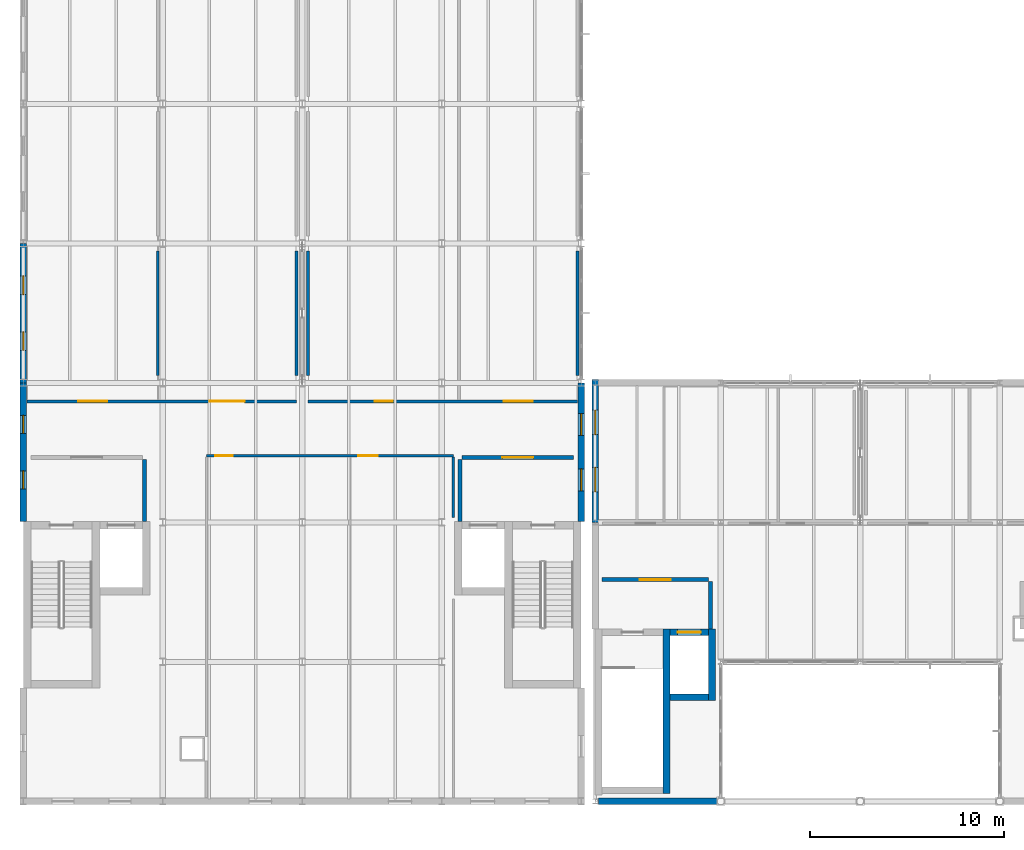
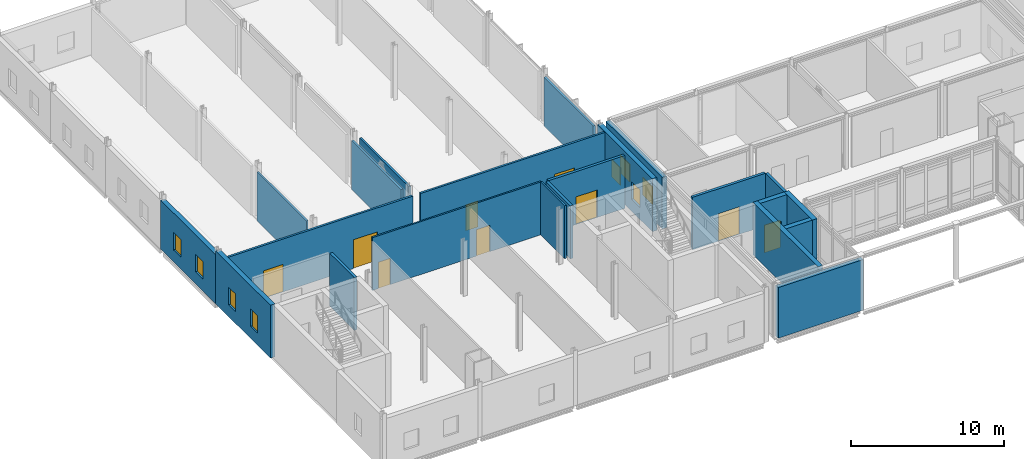
# One storey, part 30 of 43: 22 walls, 9 doors, 8 windows, 17 openings.
"""IFC4 building model written with IfcOpenShell, lengths in metres."""

import ifcopenshell
import ifcopenshell.guid

model = None  # the IFC model being written
_history = None  # IfcOwnerHistory: only IFC2X3 demands one
_inside = {}  # id of a spatial element -> (the spatial element, [elements in it])
_under = {}  # id of a project, library or spatial element -> (it, [spatial elements below it])
_declared = {}  # id of a project -> (the project, [libraries it declares])
_typed = {}  # id of a type object -> (the type object, [elements of that type])
_made_of = {}  # id of a material, layer set ... -> (it, [elements and type objects made of it])


def new_model(schema):
    """Start an empty IFC model of exactly this schema.

    Asked for "IFC4X3", IfcOpenShell would pick the latest addendum, in which some entities
    have other attributes; the version numbers below select the first issue.
    IFC2X3 requires an IfcOwnerHistory on every rooted entity: one is made here for all.
    """
    global model, _history
    if schema == "IFC4X3":
        model = ifcopenshell.file(schema_version=(4, 3, 0, 0))
    else:
        model = ifcopenshell.file(schema=schema)
    _inside.clear()
    _under.clear()
    _declared.clear()
    _typed.clear()
    _made_of.clear()
    _history = None
    if model.schema == "IFC2X3":
        org = make("IfcOrganization", Name="unknown")
        user = make(
            "IfcPersonAndOrganization",
            ThePerson=make("IfcPerson", FamilyName="unknown"),
            TheOrganization=org,
        )
        app = make(
            "IfcApplication",
            ApplicationDeveloper=org,
            Version="unknown",
            ApplicationFullName="unknown",
            ApplicationIdentifier="unknown",
        )
        _history = make(
            "IfcOwnerHistory",
            OwningUser=user,
            OwningApplication=app,
            ChangeAction="ADDED",
            CreationDate=0,
        )
    return model


def make(cls, **values):
    """One entity of the class cls with the attributes given. An attribute that is None is left unset."""
    return model.create_entity(
        cls, **{name: value for name, value in values.items() if value is not None}
    )


def rooted(cls, **values):
    """An entity with a GlobalId (a new one), such as an element, a storey or a relation."""
    return make(cls, GlobalId=ifcopenshell.guid.new(), OwnerHistory=_history, **values)


def si_unit(unit_type, name, prefix=None):
    """IfcSIUnit, for example si_unit("LENGTHUNIT", "METRE", prefix="MILLI")."""
    return make("IfcSIUnit", UnitType=unit_type, Prefix=prefix, Name=name)


def assignment(units):
    """IfcUnitAssignment: the units of a project."""
    return None if units is None else make("IfcUnitAssignment", Units=units)


def point(xyz):
    """IfcCartesianPoint."""
    return None if xyz is None else make("IfcCartesianPoint", Coordinates=xyz)


def direction(xyz):
    """IfcDirection."""
    return None if xyz is None else make("IfcDirection", DirectionRatios=xyz)


def frame(location, z_axis=None, x_axis=None):
    """IfcAxis2Placement3D, a coordinate frame: its origin and axes. An axis left out is left unset."""
    return make(
        "IfcAxis2Placement3D",
        Location=point(location),
        Axis=direction(z_axis),
        RefDirection=direction(x_axis),
    )


def frame_2d(location, x_axis=None):
    """IfcAxis2Placement2D, a coordinate frame in the plane: its origin and x axis."""
    return make(
        "IfcAxis2Placement2D", Location=point(location), RefDirection=direction(x_axis)
    )


def origin():
    """The frame at (0, 0, 0) with its axes left unset."""
    return frame((0.0, 0.0, 0.0))


def place(relative_to, where):
    """IfcLocalPlacement: puts the frame where relative to a parent placement (None: the world)."""
    return make(
        "IfcLocalPlacement", PlacementRelTo=relative_to, RelativePlacement=where
    )


def context(
    kind, dimensions, precision=None, world=None, true_north=None, identifier=None
):
    """IfcGeometricRepresentationContext, for example the 3D "Model" context."""
    return make(
        "IfcGeometricRepresentationContext",
        ContextIdentifier=identifier,
        ContextType=kind,
        CoordinateSpaceDimension=dimensions,
        Precision=precision,
        WorldCoordinateSystem=world,
        TrueNorth=true_north,
    )


def subcontext(parent, identifier, kind, view, scale=None):
    """IfcGeometricRepresentationSubContext, for example "Body" below "Model"."""
    return make(
        "IfcGeometricRepresentationSubContext",
        ContextIdentifier=identifier,
        ContextType=kind,
        ParentContext=parent,
        TargetScale=scale,
        TargetView=view,
    )


def project(units=None, contexts=None):
    """IfcProject with its units and contexts."""
    return rooted(
        "IfcProject",
        Name="project",
        RepresentationContexts=contexts,
        UnitsInContext=assignment(units),
    )


def spatial(cls, under=None, at=None, **own):
    """A site, building, storey or space (cls), placed at a placement, below another one or the project."""
    s = rooted(cls, ObjectPlacement=at, **own)
    if under is not None:
        _under.setdefault(under.id(), (under, []))[1].append(s)
    return s


def profile(cls, at=None, kind="AREA", **sizes):
    """A parametric profile (cls). Its sizes go by their IFC names, for example OverallWidth=200.0."""
    return make(cls, ProfileType=kind, Position=at, **sizes)


def rectangle(**sizes):
    """IfcRectangleProfileDef."""
    return profile("IfcRectangleProfileDef", **sizes)


def extrude(swept, where, along, depth):
    """IfcExtrudedAreaSolid: the profile swept, set in the frame where, extruded along a direction by depth."""
    return make(
        "IfcExtrudedAreaSolid",
        SweptArea=swept,
        Position=where,
        ExtrudedDirection=direction(along),
        Depth=depth,
    )


def shape(context_of_items, identifier, shape_type, items):
    """IfcShapeRepresentation: the items that make up one representation, for example the "Body"."""
    return make(
        "IfcShapeRepresentation",
        ContextOfItems=context_of_items,
        RepresentationIdentifier=identifier,
        RepresentationType=shape_type,
        Items=items,
    )


def material(Name=None, Category=None):
    """IfcMaterial."""
    return make("IfcMaterial", Name=Name, Category=Category)


def layer(
    of_material, thickness, ventilated=None, Name=None, Category=None, Priority=None
):
    """IfcMaterialLayer: one layer of a wall or slab, of a material (None: an air gap)."""
    return make(
        "IfcMaterialLayer",
        Material=of_material,
        LayerThickness=thickness,
        IsVentilated=ventilated,
        Name=Name,
        Category=Category,
        Priority=Priority,
    )


def layer_set(layers, Name=None):
    """IfcMaterialLayerSet."""
    return make("IfcMaterialLayerSet", MaterialLayers=layers, LayerSetName=Name)


def made_of(thing, what):
    """Note that an element or type object is made of a material, layer set ...; save() writes the relation."""
    if what is not None:
        _made_of.setdefault(what.id(), (what, []))[1].append(thing)
    return thing


def type_object(cls, material=None, **own):
    """A type object (cls), such as IfcWallType, which elements share."""
    return made_of(rooted(cls, **own), material)


def element(
    cls,
    number,
    at=None,
    inside=None,
    cuts=None,
    type_object=None,
    material=None,
    context=None,
    identifier="Body",
    shape_type=None,
    held_by="IfcProductDefinitionShape",
    body=None,
    shapes=None,
    **own,
):
    """One element of the class cls, such as IfcWall. Its Tag is "e" and its number.

    at: its placement. inside: the storey or other place that contains it. cuts: it is an
    opening in that element (IfcRelVoidsElement). A single representation is given by context,
    identifier, shape_type and body (its items); several are given by shapes. held_by: the class
    of the entity that holds the representations. save() writes the other relations.
    """
    e = rooted(cls, Tag="e%d" % number, ObjectPlacement=at, **own)
    if body is not None:
        shapes = [shape(context, identifier, shape_type, body)]
    if shapes is not None:
        e.Representation = make(held_by, Representations=shapes)
    if inside is not None:
        _inside.setdefault(inside.id(), (inside, []))[1].append(e)
    if cuts is not None:
        rooted(
            "IfcRelVoidsElement", RelatingBuildingElement=cuts, RelatedOpeningElement=e
        )
    if type_object is not None:
        _typed.setdefault(type_object.id(), (type_object, []))[1].append(e)
    return made_of(e, material)


def fill(opening, filler):
    """IfcRelFillsElement: the door or window that sits in an opening."""
    return rooted(
        "IfcRelFillsElement",
        RelatingOpeningElement=opening,
        RelatedBuildingElement=filler,
    )


def aggregate(whole, parts):
    """IfcRelAggregates: a whole, such as a stair, and the parts it consists of."""
    return rooted("IfcRelAggregates", RelatingObject=whole, RelatedObjects=parts)


def save(model, path):
    """Write the relations noted so far, then the file.

    IfcRelAggregates (storeys below a building ...), IfcRelContainedInSpatialStructure (elements
    in a storey), IfcRelDefinesByType, IfcRelAssociatesMaterial and IfcRelDeclares: one each for
    every whole, place, type object, material and project.
    """
    for whole, parts in _under.values():
        aggregate(whole, parts)
    for where, things in _inside.values():
        rooted(
            "IfcRelContainedInSpatialStructure",
            RelatedElements=things,
            RelatingStructure=where,
        )
    for kind, things in _typed.values():
        rooted("IfcRelDefinesByType", RelatedObjects=things, RelatingType=kind)
    for what, things in _made_of.values():
        rooted("IfcRelAssociatesMaterial", RelatedObjects=things, RelatingMaterial=what)
    for by, libraries in _declared.values():
        rooted("IfcRelDeclares", RelatingContext=by, RelatedDefinitions=libraries)
    model.write(path)


model = new_model("IFC4")

# Units and contexts
model_context = context("Model", 3, precision=1e-05, world=origin(), true_north=direction((0.0, 1.0)))
body_context = subcontext(model_context, "Body", "Model", "MODEL_VIEW")
ifc_project = project(units=[si_unit("LENGTHUNIT", "METRE"), si_unit("AREAUNIT", "SQUARE_METRE"), si_unit("VOLUMEUNIT", "CUBIC_METRE"), si_unit("PLANEANGLEUNIT", "RADIAN"), si_unit("MASSUNIT", "GRAM", prefix="KILO")], contexts=[model_context])

# Site, building, storey
site_placement = place(None, origin())
site = spatial("IfcSite", under=ifc_project, at=site_placement, CompositionType="ELEMENT")
building_placement = place(site_placement, origin())
building = spatial("IfcBuilding", under=site, at=building_placement, Name="Zarrinpeak Specialist Clinic", CompositionType="ELEMENT")
storey_placement = place(building_placement, frame((0.0, 0.0, 18.39990234375)))
storey = spatial("IfcBuildingStorey", under=building, at=storey_placement, Name="L04", CompositionType="ELEMENT", Elevation=18.39990234375)

# Walls
ifc_material_1 = material(Name="Concrete C40/50", Category="concrete")
ifc_layer_1 = layer(ifc_material_1, 0.35009765625)
ifc_layer_set_1 = layer_set([ifc_layer_1], Name="Concrete C40/50")
wall_type_1 = type_object("IfcWallType", Name="WL-CR350", PredefinedType="SHEAR", material=ifc_layer_set_1)
wall_1_placement = place(storey_placement, frame((33.195068359375, 0.39990234375, 0.0), z_axis=(0.0, 0.0, 1.0), x_axis=(0.0, 1.0, 0.0)))
element("IfcWall", 1, at=wall_1_placement, inside=storey, type_object=wall_type_1, Name="L04 Core C03 Shear Wall STE", PredefinedType="SHEAR", context=body_context, shape_type="SweptSolid", body=[
    extrude(rectangle(XDim=8.5, YDim=0.35009765625, at=frame_2d((4.25, 0.0))), origin(), (0.0, 0.0, 1.0), 4.18017578125),
])
wall_2_placement = place(storey_placement, frame((33.3701171875, 5.375, 0.0), z_axis=(0.0, 0.0, 1.0), x_axis=(1.0, 0.0, 0.0)))
element("IfcWall", 2, at=wall_2_placement, inside=storey, type_object=wall_type_1, Name="L04 Lift LF-P2 Shaft Wall LFS", PredefinedType="SHEAR", context=body_context, shape_type="SweptSolid", body=[
    extrude(rectangle(XDim=2.0, YDim=0.35009765625, at=frame_2d((1.0, 0.0))), origin(), (0.0, 0.0, 1.0), 4.18017578125),
])

# Wall, opening, door
wall_3_placement = place(storey_placement, frame((33.3701171875, 8.72509765625, 0.0), z_axis=(0.0, 0.0, 1.0), x_axis=(1.0, 0.0, 0.0)))
wall_3 = element("IfcWall", 3, at=wall_3_placement, inside=storey, type_object=wall_type_1, Name="L04 Lift LF-P2 Shaft Wall LFN", PredefinedType="SHEAR", context=body_context, shape_type="SweptSolid", body=[
    extrude(rectangle(XDim=2.0, YDim=0.35009765625, at=frame_2d((1.0, 0.0))), origin(), (0.0, 0.0, 1.0), 4.18017578125),
])
opening_1_placement = place(wall_3_placement, frame((0.39990234375, 0.0, 0.0)))
opening_1 = element("IfcOpeningElement", 4, at=opening_1_placement, cuts=wall_3, Name="Opening LD-02", PredefinedType="OPENING", context=body_context, shape_type="SweptSolid", body=[
    extrude(rectangle(XDim=1.199951171875, YDim=2.199951171875, at=frame_2d((0.60009765625, 1.10009765625))), frame((0.0, 0.18505859375, 0.0), z_axis=(0.0, -1.0, 0.0), x_axis=(1.0, 0.0, 0.0)), (0.0, 0.0, 1.0), 0.3701171875),
])
ifc_material_2 = material(Name="Powder-Coated Galvanised Steel", Category="steel")
door_type_1 = type_object("IfcDoorType", Name="DR-LD120", OperationType="SLIDING_TO_RIGHT", PredefinedType="DOOR", material=ifc_material_2)
door_1_placement = place(opening_1_placement, origin())
door_1 = element("IfcDoor", 5, at=door_1_placement, inside=storey, type_object=door_type_1, Name="L04 Lift LF-P2 Sliding Landing Door", OperationType="SLIDING_TO_RIGHT", OverallHeight=2.199951171875, OverallWidth=1.199951171875, PredefinedType="DOOR", context=body_context, shape_type="SweptSolid", body=[
    extrude(rectangle(XDim=1.199951171875, YDim=2.199951171875, at=frame_2d((0.60009765625, 1.10009765625))), frame((0.0, 0.02490234375, 0.0), z_axis=(0.0, -1.0, 0.0), x_axis=(1.0, 0.0, 0.0)), (0.0, 0.0, 1.0), 0.050048828125),
])
fill(opening_1, door_1)

# Wall
wall_4_placement = place(storey_placement, frame((35.544921875, 5.199951171875, 0.0), z_axis=(0.0, 0.0, 1.0), x_axis=(0.0, 1.0, 0.0)))
element("IfcWall", 6, at=wall_4_placement, inside=storey, type_object=wall_type_1, Name="L04 Lift LF-P2 Shaft Wall LFE", PredefinedType="SHEAR", context=body_context, shape_type="SweptSolid", body=[
    extrude(rectangle(XDim=3.699951171875, YDim=0.35009765625, at=frame_2d((1.85009765625, 0.0))), origin(), (0.0, 0.0, 1.0), 4.18017578125),
])

# Wall, openings, windows
ifc_material_3 = material(Name="Precast concrete C40/50", Category="concrete")
ifc_layer_2 = layer(ifc_material_3, 0.340087890625)
ifc_layer_set_2 = layer_set([ifc_layer_2], Name="Precast concrete C40/50")
wall_type_2 = type_object("IfcWallType", Name="WL-EW340", PredefinedType="STANDARD", material=ifc_layer_set_2)
wall_5_placement = place(storey_placement, frame((0.0, 21.60009765625, 0.0), z_axis=(0.0, 0.0, 1.0), x_axis=(0.0, -1.0, 0.0)))
wall_5 = element("IfcWall", 7, at=wall_5_placement, inside=storey, type_object=wall_type_2, Name="L04 V1 Exterior GRC Wall EW-L04-V1-0064", PredefinedType="STANDARD", context=body_context, shape_type="SweptSolid", body=[
    extrude(rectangle(XDim=7.150146484375, YDim=0.340087890625, at=frame_2d((3.5751953125, 0.0))), origin(), (0.0, 0.0, 1.0), 4.215087890625),
])
opening_2_placement = place(wall_5_placement, frame((1.680908203125, 0.0, 0.949951171875)))
opening_2 = element("IfcOpeningElement", 8, at=opening_2_placement, cuts=wall_5, Name="Opening WS-55", PredefinedType="OPENING", context=body_context, shape_type="SweptSolid", body=[
    extrude(rectangle(XDim=0.927978515625, YDim=1.404052734375, at=frame_2d((0.4638671875, 0.7021484375))), frame((0.0, 0.18017578125, 0.0), z_axis=(0.0, -1.0, 0.0), x_axis=(1.0, 0.0, 0.0)), (0.0, 0.0, 1.0), 0.360107421875),
])
opening_3_placement = place(wall_5_placement, frame((4.541015625, 0.0, 0.949951171875)))
opening_3 = element("IfcOpeningElement", 9, at=opening_3_placement, cuts=wall_5, Name="Opening WS-55", PredefinedType="OPENING", context=body_context, shape_type="SweptSolid", body=[
    extrude(rectangle(XDim=0.927978515625, YDim=1.404052734375, at=frame_2d((0.4638671875, 0.7021484375))), frame((0.0, 0.18017578125, 0.0), z_axis=(0.0, -1.0, 0.0), x_axis=(1.0, 0.0, 0.0)), (0.0, 0.0, 1.0), 0.360107421875),
])
ifc_material_4 = material(Name="Thermally Broken Aluminium and Low-E Glazing", Category="aluminium")
window_type_1 = type_object("IfcWindowType", Name="WN-SP55", PartitioningType="SINGLE_PANEL", PredefinedType="WINDOW", material=ifc_material_4)
window_1_placement = place(opening_2_placement, origin())
window_1 = element("IfcWindow", 10, at=window_1_placement, inside=storey, type_object=window_type_1, Name="L04 Modular Facade Window WN-L04-0097", OverallHeight=1.404052734375, OverallWidth=0.927978515625, PartitioningType="SINGLE_PANEL", PredefinedType="WINDOW", context=body_context, shape_type="SweptSolid", body=[
    extrude(rectangle(XDim=0.927978515625, YDim=1.404052734375, at=frame_2d((0.4638671875, 0.7021484375))), frame((0.0, 0.030029296875, 0.0), z_axis=(0.0, -1.0, 0.0), x_axis=(1.0, 0.0, 0.0)), (0.0, 0.0, 1.0), 0.06005859375),
])
fill(opening_2, window_1)
window_2_placement = place(opening_3_placement, origin())
window_2 = element("IfcWindow", 11, at=window_2_placement, inside=storey, type_object=window_type_1, Name="L04 Modular Facade Window WN-L04-0098", OverallHeight=1.404052734375, OverallWidth=0.927978515625, PartitioningType="SINGLE_PANEL", PredefinedType="WINDOW", context=body_context, shape_type="SweptSolid", body=[
    extrude(rectangle(XDim=0.927978515625, YDim=1.404052734375, at=frame_2d((0.4638671875, 0.7021484375))), frame((0.0, 0.030029296875, 0.0), z_axis=(0.0, -1.0, 0.0), x_axis=(1.0, 0.0, 0.0)), (0.0, 0.0, 1.0), 0.06005859375),
])
fill(opening_3, window_2)

wall_6_placement = place(storey_placement, frame((0.0, 28.800048828125, 0.0), z_axis=(0.0, 0.0, 1.0), x_axis=(0.0, -1.0, 0.0)))
wall_6 = element("IfcWall", 12, at=wall_6_placement, inside=storey, type_object=wall_type_2, Name="L04 V1 Exterior GRC Wall EW-L04-V1-0065", PredefinedType="STANDARD", context=body_context, shape_type="SweptSolid", body=[
    extrude(rectangle(XDim=7.199951171875, YDim=0.340087890625, at=frame_2d((3.60009765625, 0.0))), origin(), (0.0, 0.0, 1.0), 3.900146484375),
])
opening_4_placement = place(wall_6_placement, frame((1.678955078125, 0.0, 0.949951171875)))
opening_4 = element("IfcOpeningElement", 13, at=opening_4_placement, cuts=wall_6, Name="Opening WS-56", PredefinedType="OPENING", context=body_context, shape_type="SweptSolid", body=[
    extrude(rectangle(XDim=0.9619140625, YDim=1.404052734375, at=frame_2d((0.48095703125, 0.7021484375))), frame((0.0, 0.18017578125, 0.0), z_axis=(0.0, -1.0, 0.0), x_axis=(1.0, 0.0, 0.0)), (0.0, 0.0, 1.0), 0.360107421875),
])
opening_5_placement = place(wall_6_placement, frame((4.55908203125, 0.0, 0.949951171875)))
opening_5 = element("IfcOpeningElement", 14, at=opening_5_placement, cuts=wall_6, Name="Opening WS-56", PredefinedType="OPENING", context=body_context, shape_type="SweptSolid", body=[
    extrude(rectangle(XDim=0.9619140625, YDim=1.404052734375, at=frame_2d((0.48095703125, 0.7021484375))), frame((0.0, 0.18017578125, 0.0), z_axis=(0.0, -1.0, 0.0), x_axis=(1.0, 0.0, 0.0)), (0.0, 0.0, 1.0), 0.360107421875),
])
window_type_2 = type_object("IfcWindowType", Name="WN-SP56", PartitioningType="SINGLE_PANEL", PredefinedType="WINDOW", material=ifc_material_4)
window_3_placement = place(opening_4_placement, origin())
window_3 = element("IfcWindow", 15, at=window_3_placement, inside=storey, type_object=window_type_2, Name="L04 Modular Facade Window WN-L04-0099", OverallHeight=1.404052734375, OverallWidth=0.9619140625, PartitioningType="SINGLE_PANEL", PredefinedType="WINDOW", context=body_context, shape_type="SweptSolid", body=[
    extrude(rectangle(XDim=0.9619140625, YDim=1.404052734375, at=frame_2d((0.48095703125, 0.7021484375))), frame((0.0, 0.030029296875, 0.0), z_axis=(0.0, -1.0, 0.0), x_axis=(1.0, 0.0, 0.0)), (0.0, 0.0, 1.0), 0.06005859375),
])
fill(opening_4, window_3)
window_4_placement = place(opening_5_placement, origin())
window_4 = element("IfcWindow", 16, at=window_4_placement, inside=storey, type_object=window_type_2, Name="L04 Modular Facade Window WN-L04-0100", OverallHeight=1.404052734375, OverallWidth=0.9619140625, PartitioningType="SINGLE_PANEL", PredefinedType="WINDOW", context=body_context, shape_type="SweptSolid", body=[
    extrude(rectangle(XDim=0.9619140625, YDim=1.404052734375, at=frame_2d((0.48095703125, 0.7021484375))), frame((0.0, 0.030029296875, 0.0), z_axis=(0.0, -1.0, 0.0), x_axis=(1.0, 0.0, 0.0)), (0.0, 0.0, 1.0), 0.06005859375),
])
fill(opening_5, window_4)

wall_7_placement = place(storey_placement, frame((28.800048828125, 14.449951171875, 0.0), z_axis=(0.0, 0.0, 1.0), x_axis=(0.0, 1.0, 0.0)))
wall_7 = element("IfcWall", 17, at=wall_7_placement, inside=storey, type_object=wall_type_2, Name="L04 V1 Exterior GRC Wall EW-L04-V1-0070", PredefinedType="STANDARD", context=body_context, shape_type="SweptSolid", body=[
    extrude(rectangle(XDim=7.150146484375, YDim=0.340087890625, at=frame_2d((3.5751953125, 0.0))), origin(), (0.0, 0.0, 1.0), 4.215087890625),
])
opening_6_placement = place(wall_7_placement, frame((1.5791015625, 0.0, 0.949951171875)))
opening_6 = element("IfcOpeningElement", 18, at=opening_6_placement, cuts=wall_7, Name="Opening WS-61", PredefinedType="OPENING", context=body_context, shape_type="SweptSolid", body=[
    extrude(rectangle(XDim=1.132080078125, YDim=1.404052734375, at=frame_2d((0.56591796875, 0.7021484375))), frame((0.0, 0.18017578125, 0.0), z_axis=(0.0, -1.0, 0.0), x_axis=(1.0, 0.0, 0.0)), (0.0, 0.0, 1.0), 0.360107421875),
])
opening_7_placement = place(wall_7_placement, frame((4.43896484375, 0.0, 0.949951171875)))
opening_7 = element("IfcOpeningElement", 19, at=opening_7_placement, cuts=wall_7, Name="Opening WS-61", PredefinedType="OPENING", context=body_context, shape_type="SweptSolid", body=[
    extrude(rectangle(XDim=1.132080078125, YDim=1.404052734375, at=frame_2d((0.56591796875, 0.7021484375))), frame((0.0, 0.18017578125, 0.0), z_axis=(0.0, -1.0, 0.0), x_axis=(1.0, 0.0, 0.0)), (0.0, 0.0, 1.0), 0.360107421875),
])
window_type_3 = type_object("IfcWindowType", Name="WN-SP61", PartitioningType="SINGLE_PANEL", PredefinedType="WINDOW", material=ifc_material_4)
window_5_placement = place(opening_6_placement, origin())
window_5 = element("IfcWindow", 20, at=window_5_placement, inside=storey, type_object=window_type_3, Name="L04 Modular Facade Window WN-L04-0108", OverallHeight=1.404052734375, OverallWidth=1.132080078125, PartitioningType="SINGLE_PANEL", PredefinedType="WINDOW", context=body_context, shape_type="SweptSolid", body=[
    extrude(rectangle(XDim=1.132080078125, YDim=1.404052734375, at=frame_2d((0.56591796875, 0.7021484375))), frame((0.0, 0.030029296875, 0.0), z_axis=(0.0, -1.0, 0.0), x_axis=(1.0, 0.0, 0.0)), (0.0, 0.0, 1.0), 0.06005859375),
])
fill(opening_6, window_5)
window_6_placement = place(opening_7_placement, origin())
window_6 = element("IfcWindow", 21, at=window_6_placement, inside=storey, type_object=window_type_3, Name="L04 Modular Facade Window WN-L04-0109", OverallHeight=1.404052734375, OverallWidth=1.132080078125, PartitioningType="SINGLE_PANEL", PredefinedType="WINDOW", context=body_context, shape_type="SweptSolid", body=[
    extrude(rectangle(XDim=1.132080078125, YDim=1.404052734375, at=frame_2d((0.56591796875, 0.7021484375))), frame((0.0, 0.030029296875, 0.0), z_axis=(0.0, -1.0, 0.0), x_axis=(1.0, 0.0, 0.0)), (0.0, 0.0, 1.0), 0.06005859375),
])
fill(opening_7, window_6)

# Wall
wall_8_placement = place(storey_placement, frame((29.68994140625, 0.0, 0.0), z_axis=(0.0, 0.0, 1.0), x_axis=(1.0, 0.0, 0.0)))
element("IfcWall", 22, at=wall_8_placement, inside=storey, type_object=wall_type_2, Name="L04 V2 Exterior GRC Wall EW-L04-V2-0143", PredefinedType="STANDARD", context=body_context, shape_type="SweptSolid", body=[
    extrude(rectangle(XDim=6.420166015625, YDim=0.340087890625, at=frame_2d((3.2099609375, 0.0))), origin(), (0.0, 0.0, 1.0), 4.03515625),
])

# Wall, openings, windows
wall_9_placement = place(storey_placement, frame((29.52001953125, 21.77001953125, 0.0), z_axis=(0.0, 0.0, 1.0), x_axis=(0.0, -1.0, 0.0)))
wall_9 = element("IfcWall", 23, at=wall_9_placement, inside=storey, type_object=wall_type_2, Name="L04 V2 Exterior GRC Wall EW-L04-V2-0148", PredefinedType="STANDARD", context=body_context, shape_type="SweptSolid", body=[
    extrude(rectangle(XDim=7.3701171875, YDim=0.340087890625, at=frame_2d((3.68505859375, 0.0))), origin(), (0.0, 0.0, 1.0), 4.110107421875),
])
opening_8_placement = place(wall_9_placement, frame((1.576904296875, 0.0, 0.949951171875)))
opening_8 = element("IfcOpeningElement", 24, at=opening_8_placement, cuts=wall_9, Name="Opening WS-65", PredefinedType="OPENING", context=body_context, shape_type="SweptSolid", body=[
    extrude(rectangle(XDim=1.26806640625, YDim=1.404052734375, at=frame_2d((0.634033203125, 0.7021484375))), frame((0.0, 0.18017578125, 0.0), z_axis=(0.0, -1.0, 0.0), x_axis=(1.0, 0.0, 0.0)), (0.0, 0.0, 1.0), 0.360107421875),
])
opening_9_placement = place(wall_9_placement, frame((4.52490234375, 0.0, 0.949951171875)))
opening_9 = element("IfcOpeningElement", 25, at=opening_9_placement, cuts=wall_9, Name="Opening WS-65", PredefinedType="OPENING", context=body_context, shape_type="SweptSolid", body=[
    extrude(rectangle(XDim=1.26806640625, YDim=1.404052734375, at=frame_2d((0.634033203125, 0.7021484375))), frame((0.0, 0.18017578125, 0.0), z_axis=(0.0, -1.0, 0.0), x_axis=(1.0, 0.0, 0.0)), (0.0, 0.0, 1.0), 0.360107421875),
])
window_type_4 = type_object("IfcWindowType", Name="WN-SP65", PartitioningType="SINGLE_PANEL", PredefinedType="WINDOW", material=ifc_material_4)
window_7_placement = place(opening_8_placement, origin())
window_7 = element("IfcWindow", 26, at=window_7_placement, inside=storey, type_object=window_type_4, Name="L04 Modular Facade Window WN-L04-0180", OverallHeight=1.404052734375, OverallWidth=1.26806640625, PartitioningType="SINGLE_PANEL", PredefinedType="WINDOW", context=body_context, shape_type="SweptSolid", body=[
    extrude(rectangle(XDim=1.26806640625, YDim=1.404052734375, at=frame_2d((0.634033203125, 0.7021484375))), frame((0.0, 0.030029296875, 0.0), z_axis=(0.0, -1.0, 0.0), x_axis=(1.0, 0.0, 0.0)), (0.0, 0.0, 1.0), 0.06005859375),
])
fill(opening_8, window_7)
window_8_placement = place(opening_9_placement, origin())
window_8 = element("IfcWindow", 27, at=window_8_placement, inside=storey, type_object=window_type_4, Name="L04 Modular Facade Window WN-L04-0181", OverallHeight=1.404052734375, OverallWidth=1.26806640625, PartitioningType="SINGLE_PANEL", PredefinedType="WINDOW", context=body_context, shape_type="SweptSolid", body=[
    extrude(rectangle(XDim=1.26806640625, YDim=1.404052734375, at=frame_2d((0.634033203125, 0.7021484375))), frame((0.0, 0.030029296875, 0.0), z_axis=(0.0, -1.0, 0.0), x_axis=(1.0, 0.0, 0.0)), (0.0, 0.0, 1.0), 0.06005859375),
])
fill(opening_9, window_8)

# Wall, openings, doors
ifc_material_5 = material(Name="Moisture-Resistant Wet-Room Partition", Category="gypsum")
ifc_layer_3 = layer(ifc_material_5, 0.125)
ifc_layer_set_3 = layer_set([ifc_layer_3], Name="Moisture-Resistant Wet-Room Partition")
wall_type_3 = type_object("IfcWallType", Name="WL-IW125W", PredefinedType="PARTITIONING", material=ifc_layer_set_3)
wall_10_placement = place(storey_placement, frame((9.449951171875, 17.85009765625, 0.0), z_axis=(0.0, 0.0, 1.0), x_axis=(1.0, 0.0, 0.0)))
wall_10 = element("IfcWall", 28, at=wall_10_placement, inside=storey, type_object=wall_type_3, Name="L04 Accessible Patient WC Partition", PredefinedType="PARTITIONING", context=body_context, shape_type="SweptSolid", body=[
    extrude(rectangle(XDim=12.75, YDim=0.125, at=frame_2d((6.375, 0.0))), origin(), (0.0, 0.0, 1.0), 4.215087890625),
])
opening_10_placement = place(wall_10_placement, frame((7.85009765625, 0.0, 0.0)))
opening_10 = element("IfcOpeningElement", 29, at=opening_10_placement, cuts=wall_10, Name="Opening D-W02", PredefinedType="OPENING", context=body_context, shape_type="SweptSolid", body=[
    extrude(rectangle(XDim=1.0, YDim=2.10009765625, at=frame_2d((0.5, 1.050048828125))), frame((0.0, 0.072509765625, 0.0), z_axis=(0.0, -1.0, 0.0), x_axis=(1.0, 0.0, 0.0)), (0.0, 0.0, 1.0), 0.14501953125),
])
opening_11_placement = place(wall_10_placement, frame((0.449951171875, 0.0, 0.0)))
opening_11 = element("IfcOpeningElement", 30, at=opening_11_placement, cuts=wall_10, Name="Opening D-W01", PredefinedType="OPENING", context=body_context, shape_type="SweptSolid", body=[
    extrude(rectangle(XDim=0.89990234375, YDim=2.10009765625, at=frame_2d((0.449951171875, 1.050048828125))), frame((0.0, 0.072509765625, 0.0), z_axis=(0.0, -1.0, 0.0), x_axis=(1.0, 0.0, 0.0)), (0.0, 0.0, 1.0), 0.14501953125),
])
door_type_2 = type_object("IfcDoorType", Name="DR-AWC100", OperationType="SLIDING_TO_LEFT", PredefinedType="DOOR", material=ifc_material_2)
door_2_placement = place(opening_10_placement, origin())
door_2 = element("IfcDoor", 31, at=door_2_placement, inside=storey, type_object=door_type_2, Name="L04 Accessible Patient WC Door", OperationType="SLIDING_TO_LEFT", OverallHeight=2.10009765625, OverallWidth=1.0, PredefinedType="DOOR", context=body_context, shape_type="SweptSolid", body=[
    extrude(rectangle(XDim=1.0, YDim=2.10009765625, at=frame_2d((0.5, 1.050048828125))), frame((0.0, 0.02490234375, 0.0), z_axis=(0.0, -1.0, 0.0), x_axis=(1.0, 0.0, 0.0)), (0.0, 0.0, 1.0), 0.050048828125),
])
fill(opening_10, door_2)
door_type_3 = type_object("IfcDoorType", Name="DR-WC90", OperationType="SINGLE_SWING_RIGHT", PredefinedType="DOOR", material=ifc_material_2)
door_3_placement = place(opening_11_placement, origin())
door_3 = element("IfcDoor", 32, at=door_3_placement, inside=storey, type_object=door_type_3, Name="L04 Staff WC Door", OperationType="SINGLE_SWING_RIGHT", OverallHeight=2.10009765625, OverallWidth=0.89990234375, PredefinedType="DOOR", context=body_context, shape_type="SweptSolid", body=[
    extrude(rectangle(XDim=0.89990234375, YDim=2.10009765625, at=frame_2d((0.449951171875, 1.050048828125))), frame((0.0, 0.02490234375, 0.0), z_axis=(0.0, -1.0, 0.0), x_axis=(1.0, 0.0, 0.0)), (0.0, 0.0, 1.0), 0.050048828125),
])
fill(opening_11, door_3)

# Walls
wall_11_placement = place(storey_placement, frame((22.199951171875, 14.64990234375, 0.0), z_axis=(0.0, 0.0, 1.0), x_axis=(0.0, 1.0, 0.0)))
element("IfcWall", 33, at=wall_11_placement, inside=storey, type_object=wall_type_3, Name="L04 Accessible Patient WC Dividing Partition", PredefinedType="PARTITIONING", context=body_context, shape_type="SweptSolid", body=[
    extrude(rectangle(XDim=3.1376953125, YDim=0.125, at=frame_2d((1.56884765625, 0.0))), origin(), (0.0, 0.0, 1.0), 4.215087890625),
])
ifc_material_6 = material(Name="Standard Drywall Partition", Category="gypsum")
ifc_layer_4 = layer(ifc_material_6, 0.135009765625)
ifc_layer_set_4 = layer_set([ifc_layer_4], Name="Standard Drywall Partition")
wall_type_4 = type_object("IfcWallType", Name="WL-IW135", PredefinedType="PARTITIONING", material=ifc_layer_set_4)
wall_12_placement = place(storey_placement, frame((6.949951171875, 21.97998046875, 0.0), z_axis=(0.0, 0.0, 1.0), x_axis=(0.0, 1.0, 0.0)))
element("IfcWall", 34, at=wall_12_placement, inside=storey, type_object=wall_type_4, Name="L04 Bronchoscopy Preparation Room Dividing Partition", PredefinedType="PARTITIONING", context=body_context, shape_type="SweptSolid", body=[
    extrude(rectangle(XDim=6.43994140625, YDim=0.135009765625, at=frame_2d((3.219970703125, 0.0))), origin(), (0.0, 0.0, 1.0), 3.91015625),
])
ifc_material_7 = material(Name="Insulated Clinical Gypsum Stud Partition", Category="gypsum")
ifc_layer_5 = layer(ifc_material_7, 0.14990234375)
ifc_layer_set_5 = layer_set([ifc_layer_5], Name="Insulated Clinical Gypsum Stud Partition")
wall_type_5 = type_object("IfcWallType", Name="WL-IW150", PredefinedType="PARTITIONING", material=ifc_layer_set_5)
for number, where, z_axis, x_axis, name in (
    (35, (14.10009765625, 21.97998046875, 0.0), (0.0, 0.0, 1.0), (0.0, 1.0, 0.0), "L04 Endocrinology Diabetes Education Dividing Partition"),
    (36, (14.699951171875, 21.97998046875, 0.0), (0.0, 0.0, 1.0), (0.0, 1.0, 0.0), "L04 Metabolic Nutrition Consult Dividing Partition"),
):
    element("IfcWall", number, at=place(storey_placement, frame(where, z_axis=z_axis, x_axis=x_axis)), inside=storey, type_object=wall_type_5, Name=name, PredefinedType="PARTITIONING", context=body_context, shape_type="SweptSolid", body=[
        extrude(rectangle(XDim=6.43994140625, YDim=0.14990234375, at=frame_2d((3.219970703125, 0.0))), origin(), (0.0, 0.0, 1.0), 3.91015625),
    ])

# Wall, openings, doors
ifc_material_8 = material(Name="Lead-Lined X-Ray Diagnostic Partition", Category="gypsum")
ifc_layer_6 = layer(ifc_material_8, 0.157958984375)
ifc_layer_set_6 = layer_set([ifc_layer_6], Name="Lead-Lined X-Ray Diagnostic Partition")
wall_type_6 = type_object("IfcWallType", Name="WL-IW158", PredefinedType="PARTITIONING", material=ifc_layer_set_6)
wall_13_placement = place(storey_placement, frame((14.699951171875, 20.64990234375, 0.0), z_axis=(0.0, 0.0, 1.0), x_axis=(1.0, 0.0, 0.0)))
wall_13 = element("IfcWall", 37, at=wall_13_placement, inside=storey, type_object=wall_type_6, Name="L04 Pulmonology Spirometry Lab Partition", PredefinedType="PARTITIONING", context=body_context, shape_type="SweptSolid", body=[
    extrude(rectangle(XDim=13.900146484375, YDim=0.157958984375, at=frame_2d((6.9501953125, 0.0))), origin(), (0.0, 0.0, 1.0), 4.215087890625),
])
opening_12_placement = place(wall_13_placement, frame((10.10009765625, 0.0, 0.0)))
opening_12 = element("IfcOpeningElement", 38, at=opening_12_placement, cuts=wall_13, Name="Opening D-B01", PredefinedType="OPENING", context=body_context, shape_type="SweptSolid", body=[
    extrude(rectangle(XDim=1.5, YDim=2.199951171875, at=frame_2d((0.75, 1.10009765625))), frame((0.0, 0.0888671875, 0.0), z_axis=(0.0, -1.0, 0.0), x_axis=(1.0, 0.0, 0.0)), (0.0, 0.0, 1.0), 0.177978515625),
])
opening_13_placement = place(wall_13_placement, frame((3.43408203125, 0.0, 0.0)))
opening_13 = element("IfcOpeningElement", 39, at=opening_13_placement, cuts=wall_13, Name="Opening DS-16", PredefinedType="OPENING", context=body_context, shape_type="SweptSolid", body=[
    extrude(rectangle(XDim=0.931884765625, YDim=2.068115234375, at=frame_2d((0.4658203125, 1.0341796875))), frame((0.0, 0.0888671875, 0.0), z_axis=(0.0, -1.0, 0.0), x_axis=(1.0, 0.0, 0.0)), (0.0, 0.0, 1.0), 0.177978515625),
])
door_type_4 = type_object("IfcDoorType", Name="DR-BED150", OperationType="DOUBLE_DOOR_SINGLE_SWING", PredefinedType="DOOR", material=ifc_material_2)
door_4_placement = place(opening_12_placement, frame((1.5, 0.0, 0.0), z_axis=(0.0, 0.0, 1.0), x_axis=(-1.0, 0.0, 0.0)))
door_4 = element("IfcDoor", 40, at=door_4_placement, inside=storey, type_object=door_type_4, Name="L04 Pulmonology Spirometry Lab Door", OperationType="DOUBLE_DOOR_SINGLE_SWING", OverallHeight=2.199951171875, OverallWidth=1.5, PredefinedType="DOOR", context=body_context, shape_type="SweptSolid", body=[
    extrude(rectangle(XDim=1.5, YDim=2.199951171875, at=frame_2d((0.75, 1.10009765625))), frame((0.0, 0.02490234375, 0.0), z_axis=(0.0, -1.0, 0.0), x_axis=(1.0, 0.0, 0.0)), (0.0, 0.0, 1.0), 0.050048828125),
])
fill(opening_12, door_4)
door_type_5 = type_object("IfcDoorType", Name="DR-SP16", OperationType="SINGLE_SWING_LEFT", PredefinedType="DOOR", material=ifc_material_2)
door_5_placement = place(opening_13_placement, frame((0.931884765625, 0.0, 0.0), z_axis=(0.0, 0.0, 1.0), x_axis=(-1.0, 0.0, 0.0)))
door_5 = element("IfcDoor", 41, at=door_5_placement, inside=storey, type_object=door_type_5, Name="L04 Metabolic Nutrition Consult Door", OperationType="SINGLE_SWING_LEFT", OverallHeight=2.068115234375, OverallWidth=0.931884765625, PredefinedType="DOOR", context=body_context, shape_type="SweptSolid", body=[
    extrude(rectangle(XDim=0.931884765625, YDim=2.068115234375, at=frame_2d((0.4658203125, 1.0341796875))), frame((0.0, 0.02490234375, 0.0), z_axis=(0.0, -1.0, 0.0), x_axis=(1.0, 0.0, 0.0)), (0.0, 0.0, 1.0), 0.050048828125),
])
fill(opening_13, door_5)

# Wall
wall_14_placement = place(storey_placement, frame((28.60009765625, 21.97998046875, 0.0), z_axis=(0.0, 0.0, 1.0), x_axis=(0.0, 1.0, 0.0)))
element("IfcWall", 42, at=wall_14_placement, inside=storey, type_object=wall_type_6, Name="L04 Pulmonology Spirometry Lab Dividing Partition", PredefinedType="PARTITIONING", context=body_context, shape_type="SweptSolid", body=[
    extrude(rectangle(XDim=6.43994140625, YDim=0.157958984375, at=frame_2d((3.219970703125, 0.0))), origin(), (0.0, 0.0, 1.0), 3.900146484375),
])

# Wall, openings, doors
ifc_material_9 = material(Name="Acoustic Double Gypsum Stud Partition", Category="gypsum")
ifc_layer_7 = layer(ifc_material_9, 0.159912109375)
ifc_layer_set_7 = layer_set([ifc_layer_7], Name="Acoustic Double Gypsum Stud Partition")
wall_type_7 = type_object("IfcWallType", Name="WL-IW160", PredefinedType="PARTITIONING", material=ifc_layer_set_7)
wall_15_placement = place(storey_placement, frame((0.199951171875, 20.64990234375, 0.0), z_axis=(0.0, 0.0, 1.0), x_axis=(1.0, 0.0, 0.0)))
wall_15 = element("IfcWall", 43, at=wall_15_placement, inside=storey, type_object=wall_type_7, Name="L04 Bronchoscopy Preparation Room Partition", PredefinedType="PARTITIONING", context=body_context, shape_type="SweptSolid", body=[
    extrude(rectangle(XDim=13.900146484375, YDim=0.159912109375, at=frame_2d((6.9501953125, 0.0))), origin(), (0.0, 0.0, 1.0), 4.215087890625),
])
opening_14_placement = place(wall_15_placement, frame((2.625, 0.0, 0.0)))
opening_14 = element("IfcOpeningElement", 44, at=opening_14_placement, cuts=wall_15, Name="Opening D-B01", PredefinedType="OPENING", context=body_context, shape_type="SweptSolid", body=[
    extrude(rectangle(XDim=1.5, YDim=2.199951171875, at=frame_2d((0.75, 1.10009765625))), frame((0.0, 0.08984375, 0.0), z_axis=(0.0, -1.0, 0.0), x_axis=(1.0, 0.0, 0.0)), (0.0, 0.0, 1.0), 0.179931640625),
])
opening_15_placement = place(wall_15_placement, frame((9.425048828125, 0.0, 0.0)))
opening_15 = element("IfcOpeningElement", 45, at=opening_15_placement, cuts=wall_15, Name="Opening D-H01", PredefinedType="OPENING", context=body_context, shape_type="SweptSolid", body=[
    extrude(rectangle(XDim=1.800048828125, YDim=2.300048828125, at=frame_2d((0.89990234375, 1.14990234375))), frame((0.0, 0.08984375, 0.0), z_axis=(0.0, -1.0, 0.0), x_axis=(1.0, 0.0, 0.0)), (0.0, 0.0, 1.0), 0.179931640625),
])
door_6_placement = place(opening_14_placement, frame((1.5, 0.0, 0.0), z_axis=(0.0, 0.0, 1.0), x_axis=(-1.0, 0.0, 0.0)))
door_6 = element("IfcDoor", 46, at=door_6_placement, inside=storey, type_object=door_type_4, Name="L04 Bronchoscopy Preparation Room Door", OperationType="DOUBLE_DOOR_SINGLE_SWING", OverallHeight=2.199951171875, OverallWidth=1.5, PredefinedType="DOOR", context=body_context, shape_type="SweptSolid", body=[
    extrude(rectangle(XDim=1.5, YDim=2.199951171875, at=frame_2d((0.75, 1.10009765625))), frame((0.0, 0.02490234375, 0.0), z_axis=(0.0, -1.0, 0.0), x_axis=(1.0, 0.0, 0.0)), (0.0, 0.0, 1.0), 0.050048828125),
])
fill(opening_14, door_6)
door_type_6 = type_object("IfcDoorType", Name="DR-HAL180", OperationType="DOUBLE_DOOR_SINGLE_SWING", PredefinedType="DOOR", material=ifc_material_2)
door_7_placement = place(opening_15_placement, frame((1.800048828125, 0.0, 0.0), z_axis=(0.0, 0.0, 1.0), x_axis=(-1.0, 0.0, 0.0)))
door_7 = element("IfcDoor", 47, at=door_7_placement, inside=storey, type_object=door_type_6, Name="L04 Endocrinology Diabetes Education Door", OperationType="DOUBLE_DOOR_SINGLE_SWING", OverallHeight=2.300048828125, OverallWidth=1.800048828125, PredefinedType="DOOR", context=body_context, shape_type="SweptSolid", body=[
    extrude(rectangle(XDim=1.800048828125, YDim=2.300048828125, at=frame_2d((0.89990234375, 1.14990234375))), frame((0.0, 0.02490234375, 0.0), z_axis=(0.0, -1.0, 0.0), x_axis=(1.0, 0.0, 0.0)), (0.0, 0.0, 1.0), 0.050048828125),
])
fill(opening_15, door_7)

# Wall
ifc_material_10 = material(Name="Autoclaved Aerated Concrete Blockwork", Category="masonry")
ifc_layer_8 = layer(ifc_material_10, 0.199951171875)
ifc_layer_set_8 = layer_set([ifc_layer_8], Name="Autoclaved Aerated Concrete Blockwork")
wall_type_8 = type_object("IfcWallType", Name="WL-IW200", PredefinedType="PARTITIONING", material=ifc_layer_set_8)
wall_16_placement = place(storey_placement, frame((6.25, 14.449951171875, 0.0), z_axis=(0.0, 0.0, 1.0), x_axis=(0.0, 1.0, 0.0)))
element("IfcWall", 48, at=wall_16_placement, inside=storey, type_object=wall_type_8, Name="L04 C01 Protected Lobby Partition LBE", PredefinedType="PARTITIONING", context=body_context, shape_type="SweptSolid", body=[
    extrude(rectangle(XDim=3.199951171875, YDim=0.199951171875, at=frame_2d((1.60009765625, 0.0))), origin(), (0.0, 0.0, 1.0), 4.215087890625),
])

# Wall, opening, door
wall_17_placement = place(storey_placement, frame((22.64990234375, 17.75, 0.0), z_axis=(0.0, 0.0, 1.0), x_axis=(1.0, 0.0, 0.0)))
wall_17 = element("IfcWall", 49, at=wall_17_placement, inside=storey, type_object=wall_type_8, Name="L04 C02 Protected Lobby Partition LBF", PredefinedType="PARTITIONING", context=body_context, shape_type="SweptSolid", body=[
    extrude(rectangle(XDim=5.75, YDim=0.199951171875, at=frame_2d((2.875, 0.0))), origin(), (0.0, 0.0, 1.0), 4.215087890625),
])
opening_16_placement = place(wall_17_placement, frame((2.074951171875, 0.0, 0.0)))
opening_16 = element("IfcOpeningElement", 50, at=opening_16_placement, cuts=wall_17, Name="Opening D-L01", PredefinedType="OPENING", context=body_context, shape_type="SweptSolid", body=[
    extrude(rectangle(XDim=1.60009765625, YDim=2.199951171875, at=frame_2d((0.800048828125, 1.10009765625))), frame((0.0, 0.10986328125, 0.0), z_axis=(0.0, -1.0, 0.0), x_axis=(1.0, 0.0, 0.0)), (0.0, 0.0, 1.0), 0.219970703125),
])
door_type_7 = type_object("IfcDoorType", Name="DR-LB160", OperationType="DOUBLE_DOOR_SINGLE_SWING", PredefinedType="DOOR", material=ifc_material_2)
door_8_placement = place(opening_16_placement, origin())
door_8 = element("IfcDoor", 51, at=door_8_placement, inside=storey, type_object=door_type_7, Name="L04 C02 Lobby Hold-Open Fire Door", OperationType="DOUBLE_DOOR_SINGLE_SWING", OverallHeight=2.199951171875, OverallWidth=1.60009765625, PredefinedType="DOOR", context=body_context, shape_type="SweptSolid", body=[
    extrude(rectangle(XDim=1.60009765625, YDim=2.199951171875, at=frame_2d((0.800048828125, 1.10009765625))), frame((0.0, 0.02490234375, 0.0), z_axis=(0.0, -1.0, 0.0), x_axis=(1.0, 0.0, 0.0)), (0.0, 0.0, 1.0), 0.050048828125),
])
fill(opening_16, door_8)

# Wall
wall_18_placement = place(storey_placement, frame((22.550048828125, 14.449951171875, 0.0), z_axis=(0.0, 0.0, 1.0), x_axis=(0.0, 1.0, 0.0)))
element("IfcWall", 52, at=wall_18_placement, inside=storey, type_object=wall_type_8, Name="L04 C02 Protected Lobby Partition LBW", PredefinedType="PARTITIONING", context=body_context, shape_type="SweptSolid", body=[
    extrude(rectangle(XDim=3.199951171875, YDim=0.199951171875, at=frame_2d((1.60009765625, 0.0))), origin(), (0.0, 0.0, 1.0), 4.215087890625),
])

# Wall, opening, door
wall_19_placement = place(storey_placement, frame((29.8701171875, 11.449951171875, 0.0), z_axis=(0.0, 0.0, 1.0), x_axis=(1.0, 0.0, 0.0)))
wall_19 = element("IfcWall", 53, at=wall_19_placement, inside=storey, type_object=wall_type_8, Name="L04 C03 Protected Lobby Partition LBF", PredefinedType="PARTITIONING", context=body_context, shape_type="SweptSolid", body=[
    extrude(rectangle(XDim=5.5, YDim=0.199951171875, at=frame_2d((2.75, 0.0))), origin(), (0.0, 0.0, 1.0), 4.18017578125),
])
opening_17_placement = place(wall_19_placement, frame((1.949951171875, 0.0, 0.0)))
opening_17 = element("IfcOpeningElement", 54, at=opening_17_placement, cuts=wall_19, Name="Opening D-L01", PredefinedType="OPENING", context=body_context, shape_type="SweptSolid", body=[
    extrude(rectangle(XDim=1.60009765625, YDim=2.199951171875, at=frame_2d((0.800048828125, 1.10009765625))), frame((0.0, 0.10986328125, 0.0), z_axis=(0.0, -1.0, 0.0), x_axis=(1.0, 0.0, 0.0)), (0.0, 0.0, 1.0), 0.219970703125),
])
door_9_placement = place(opening_17_placement, origin())
door_9 = element("IfcDoor", 55, at=door_9_placement, inside=storey, type_object=door_type_7, Name="L04 C03 Lobby Hold-Open Fire Door", OperationType="DOUBLE_DOOR_SINGLE_SWING", OverallHeight=2.199951171875, OverallWidth=1.60009765625, PredefinedType="DOOR", context=body_context, shape_type="SweptSolid", body=[
    extrude(rectangle(XDim=1.60009765625, YDim=2.199951171875, at=frame_2d((0.800048828125, 1.10009765625))), frame((0.0, 0.02490234375, 0.0), z_axis=(0.0, -1.0, 0.0), x_axis=(1.0, 0.0, 0.0)), (0.0, 0.0, 1.0), 0.050048828125),
])
fill(opening_17, door_9)

# Wall
wall_20_placement = place(storey_placement, frame((35.469970703125, 8.89990234375, 0.0), z_axis=(0.0, 0.0, 1.0), x_axis=(0.0, 1.0, 0.0)))
element("IfcWall", 56, at=wall_20_placement, inside=storey, type_object=wall_type_8, Name="L04 C03 Protected Lobby Partition LBE", PredefinedType="PARTITIONING", context=body_context, shape_type="SweptSolid", body=[
    extrude(rectangle(XDim=2.4501953125, YDim=0.199951171875, at=frame_2d((1.22509765625, 0.0))), origin(), (0.0, 0.0, 1.0), 4.18017578125),
])

save(model, "model.ifc")
